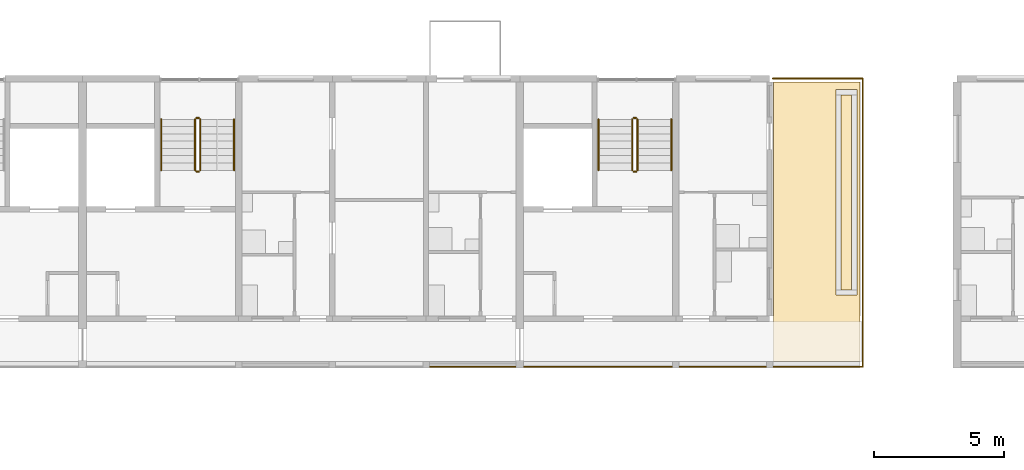
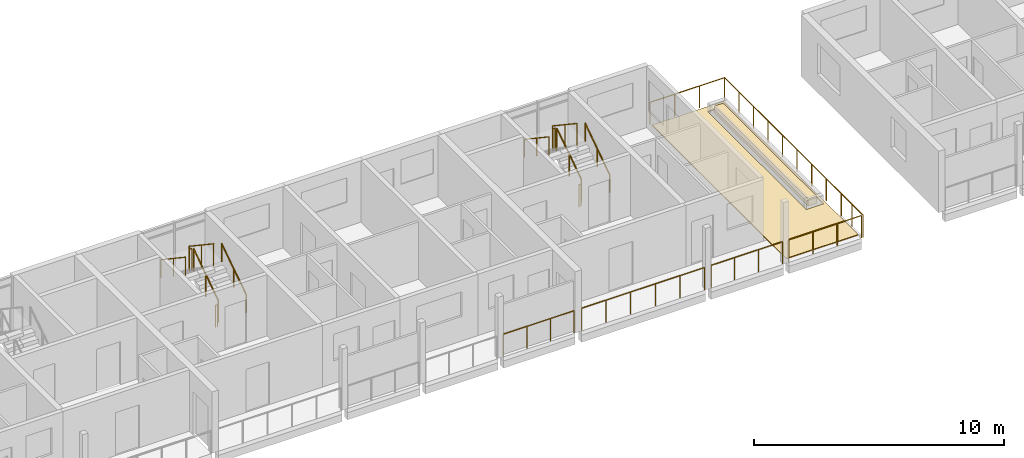
# One storey, part 76 of 94: 18 railings, 3 coverings.
"""IFC4 building model written with IfcOpenShell, lengths in metres."""

from ifc_helpers import new_model, si_unit, direction, frame, origin, origin_2d, place, context, subcontext, project, spatial, polyline, circle, outline, extrude, material, layer, layer_set, type_object, element, save


model = new_model("IFC4")

# Units and contexts
model_context = context("Model", 3, precision=1e-05, world=origin(), true_north=direction((0.0, 1.0)))
body_context = subcontext(model_context, "Body", "Model", "MODEL_VIEW")
ifc_project = project(units=[si_unit("LENGTHUNIT", "METRE"), si_unit("AREAUNIT", "SQUARE_METRE"), si_unit("VOLUMEUNIT", "CUBIC_METRE"), si_unit("PLANEANGLEUNIT", "RADIAN"), si_unit("MASSUNIT", "GRAM", prefix="KILO")], contexts=[model_context])

# Site, building, storey
site_placement = place(None, origin())
site = spatial("IfcSite", under=ifc_project, at=site_placement, CompositionType="ELEMENT")
building_placement = place(site_placement, origin())
building = spatial("IfcBuilding", under=site, at=building_placement, Name="Ridgestep Commons", CompositionType="ELEMENT")
storey_placement = place(building_placement, frame((0.0, 0.0, 21.0)))
storey = spatial("IfcBuildingStorey", under=building, at=storey_placement, Name="L07", CompositionType="ELEMENT", Elevation=21.0)

# Railings
ifc_material_1 = material(Name="Structural steel S355JR", Category="steel")
railing_type_1 = type_object("IfcRailingType", Name="Guard 1100", PredefinedType="GUARDRAIL", material=ifc_material_1)
railing_1_placement = place(storey_placement, frame((58.779052734375, 67.821044921875, 0.0)))
element("IfcRailing", 1, at=railing_1_placement, inside=storey, type_object=railing_type_1, Name="Guard TD-B3R2-GD", PredefinedType="GUARDRAIL", context=body_context, shape_type="SweptSolid", body=[
    extrude(circle(Radius=0.02392578125, at=origin_2d()), frame((0.0, 0.0, 1.076171875), z_axis=(0.0, 1.0, 0.0), x_axis=(-1.0, 0.0, 0.0)), (0.0, 0.0, 1.0), 9.303955078125),
    extrude(circle(Radius=0.02392578125, at=origin_2d()), frame((0.0, 9.303955078125, 1.076171875), z_axis=(-1.0, 0.0, 0.0), x_axis=(0.0, -1.0, 0.0)), (0.0, 0.0, 1.0), 3.4580078125),
    extrude(circle(Radius=0.02099609375, at=origin_2d()), origin(), (0.0, 0.0, 1.0), 1.052001953125),
    extrude(circle(Radius=0.02099609375, at=origin_2d()), frame((0.0, 1.1630859375, 0.0)), (0.0, 0.0, 1.0), 1.052001953125),
    extrude(circle(Radius=0.02099609375, at=origin_2d()), frame((0.0, 2.325927734375, 0.0)), (0.0, 0.0, 1.0), 1.052001953125),
    extrude(circle(Radius=0.02099609375, at=origin_2d()), frame((0.0, 3.489013671875, 0.0)), (0.0, 0.0, 1.0), 1.052001953125),
    extrude(circle(Radius=0.02099609375, at=origin_2d()), frame((0.0, 4.65185546875, 0.0)), (0.0, 0.0, 1.0), 1.052001953125),
    extrude(circle(Radius=0.02099609375, at=origin_2d()), frame((0.0, 5.81494140625, 0.0)), (0.0, 0.0, 1.0), 1.052001953125),
    extrude(circle(Radius=0.02099609375, at=origin_2d()), frame((0.0, 6.97802734375, 0.0)), (0.0, 0.0, 1.0), 1.052001953125),
    extrude(circle(Radius=0.02099609375, at=origin_2d()), frame((0.0, 8.140869140625, 0.0)), (0.0, 0.0, 1.0), 1.052001953125),
    extrude(circle(Radius=0.02099609375, at=origin_2d()), frame((0.0, 9.303955078125, 0.0)), (0.0, 0.0, 1.0), 1.052001953125),
    extrude(circle(Radius=0.02099609375, at=origin_2d()), frame((-1.152587890625, 9.303955078125, 0.0)), (0.0, 0.0, 1.0), 1.052001953125),
    extrude(circle(Radius=0.02099609375, at=origin_2d()), frame((-2.305419921875, 9.303955078125, 0.0)), (0.0, 0.0, 1.0), 1.052001953125),
    extrude(circle(Radius=0.02099609375, at=origin_2d()), frame((-3.4580078125, 9.303955078125, 0.0)), (0.0, 0.0, 1.0), 1.052001953125),
])
railing_2_placement = place(storey_placement, frame((42.14599609375, 66.050048828125, 0.0)))
element("IfcRailing", 2, at=railing_2_placement, inside=storey, type_object=railing_type_1, Name="Gallery guard B 07.7", PredefinedType="GUARDRAIL", context=body_context, shape_type="SweptSolid", body=[
    extrude(circle(Radius=0.02392578125, at=origin_2d()), frame((0.0, 0.0, 1.076171875), z_axis=(1.0, 0.0, 0.0), x_axis=(0.0, 1.0, 0.0)), (0.0, 0.0, 1.0), 3.282958984375),
    extrude(circle(Radius=0.02099609375, at=origin_2d()), origin(), (0.0, 0.0, 1.0), 1.052001953125),
    extrude(circle(Radius=0.02099609375, at=origin_2d()), frame((1.09423828125, 0.0, 0.0)), (0.0, 0.0, 1.0), 1.052001953125),
    extrude(circle(Radius=0.02099609375, at=origin_2d()), frame((2.188720703125, 0.0, 0.0)), (0.0, 0.0, 1.0), 1.052001953125),
    extrude(circle(Radius=0.02099609375, at=origin_2d()), frame((3.282958984375, 0.0, 0.0)), (0.0, 0.0, 1.0), 1.052001953125),
])
railing_3_placement = place(storey_placement, frame((45.77099609375, 66.050048828125, 0.0)))
element("IfcRailing", 3, at=railing_3_placement, inside=storey, type_object=railing_type_1, Name="Gallery guard B 07.8", PredefinedType="GUARDRAIL", context=body_context, shape_type="SweptSolid", body=[
    extrude(circle(Radius=0.02392578125, at=origin_2d()), frame((0.0, 0.0, 1.076171875), z_axis=(1.0, 0.0, 0.0), x_axis=(0.0, 1.0, 0.0)), (0.0, 0.0, 1.0), 5.68310546875),
    extrude(circle(Radius=0.02099609375, at=origin_2d()), origin(), (0.0, 0.0, 1.0), 1.052001953125),
    extrude(circle(Radius=0.02099609375, at=origin_2d()), frame((1.13671875, 0.0, 0.0)), (0.0, 0.0, 1.0), 1.052001953125),
    extrude(circle(Radius=0.02099609375, at=origin_2d()), frame((2.273193359375, 0.0, 0.0)), (0.0, 0.0, 1.0), 1.052001953125),
    extrude(circle(Radius=0.02099609375, at=origin_2d()), frame((3.409912109375, 0.0, 0.0)), (0.0, 0.0, 1.0), 1.052001953125),
    extrude(circle(Radius=0.02099609375, at=origin_2d()), frame((4.54638671875, 0.0, 0.0)), (0.0, 0.0, 1.0), 1.052001953125),
    extrude(circle(Radius=0.02099609375, at=origin_2d()), frame((5.68310546875, 0.0, 0.0)), (0.0, 0.0, 1.0), 1.052001953125),
])
railing_4_placement = place(storey_placement, frame((51.74609375, 66.050048828125, 0.0)))
element("IfcRailing", 4, at=railing_4_placement, inside=storey, type_object=railing_type_1, Name="Gallery guard B 07.9", PredefinedType="GUARDRAIL", context=body_context, shape_type="SweptSolid", body=[
    extrude(circle(Radius=0.02392578125, at=origin_2d()), frame((0.0, 0.0, 1.076171875), z_axis=(1.0, 0.0, 0.0), x_axis=(0.0, 1.0, 0.0)), (0.0, 0.0, 1.0), 3.307861328125),
    extrude(circle(Radius=0.02099609375, at=origin_2d()), origin(), (0.0, 0.0, 1.0), 1.052001953125),
    extrude(circle(Radius=0.02099609375, at=origin_2d()), frame((1.1025390625, 0.0, 0.0)), (0.0, 0.0, 1.0), 1.052001953125),
    extrude(circle(Radius=0.02099609375, at=origin_2d()), frame((2.205322265625, 0.0, 0.0)), (0.0, 0.0, 1.0), 1.052001953125),
    extrude(circle(Radius=0.02099609375, at=origin_2d()), frame((3.307861328125, 0.0, 0.0)), (0.0, 0.0, 1.0), 1.052001953125),
])
railing_5_placement = place(storey_placement, frame((55.345947265625, 66.050048828125, 0.0)))
element("IfcRailing", 5, at=railing_5_placement, inside=storey, type_object=railing_type_1, Name="Gallery guard B 07.10", PredefinedType="GUARDRAIL", context=body_context, shape_type="SweptSolid", body=[
    extrude(circle(Radius=0.02392578125, at=origin_2d()), frame((0.0, 0.0, 1.076171875), z_axis=(1.0, 0.0, 0.0), x_axis=(0.0, 1.0, 0.0)), (0.0, 0.0, 1.0), 3.3701171875),
    extrude(circle(Radius=0.02099609375, at=origin_2d()), origin(), (0.0, 0.0, 1.0), 1.052001953125),
    extrude(circle(Radius=0.02099609375, at=origin_2d()), frame((1.123291015625, 0.0, 0.0)), (0.0, 0.0, 1.0), 1.052001953125),
    extrude(circle(Radius=0.02099609375, at=origin_2d()), frame((2.246826171875, 0.0, 0.0)), (0.0, 0.0, 1.0), 1.052001953125),
    extrude(circle(Radius=0.02099609375, at=origin_2d()), frame((3.3701171875, 0.0, 0.0)), (0.0, 0.0, 1.0), 1.052001953125),
])
railing_6_placement = place(storey_placement, frame((58.779052734375, 66.050048828125, 0.0)))
element("IfcRailing", 6, at=railing_6_placement, inside=storey, type_object=railing_type_1, Name="Gallery end guard B 07.10E", PredefinedType="GUARDRAIL", context=body_context, shape_type="SweptSolid", body=[
    extrude(circle(Radius=0.02392578125, at=origin_2d()), frame((0.0, 0.0, 1.076171875), z_axis=(0.0, 1.0, 0.0), x_axis=(-1.0, 0.0, 0.0)), (0.0, 0.0, 1.0), 1.72900390625),
    extrude(circle(Radius=0.02099609375, at=origin_2d()), origin(), (0.0, 0.0, 1.0), 1.052001953125),
    extrude(circle(Radius=0.02099609375, at=origin_2d()), frame((0.0, 0.864501953125, 0.0)), (0.0, 0.0, 1.0), 1.052001953125),
    extrude(circle(Radius=0.02099609375, at=origin_2d()), frame((0.0, 1.72900390625, 0.0)), (0.0, 0.0, 1.0), 1.052001953125),
])

# Covering
ifc_material_2 = material(Name="Planting soil")
ifc_layer_1 = layer(ifc_material_2, 0.35009765625)
ifc_layer_set_1 = layer_set([ifc_layer_1], Name="Planting soil 350")
covering_type_1 = type_object("IfcCoveringType", Name="Planting soil 350", PredefinedType="FLOORING", material=ifc_layer_set_1)
covering_1_placement = place(storey_placement, frame((0.0, 0.0, 0.010009765625)))
element("IfcCovering", 7, at=covering_1_placement, inside=storey, type_object=covering_type_1, Name="Planting soil B3R2", PredefinedType="FLOORING", context=body_context, shape_type="SweptSolid", body=[
    extrude(outline(polyline([(57.949951171875, 69.0), (58.35009765625, 69.0), (58.35009765625, 76.5), (57.949951171875, 76.5), (57.949951171875, 69.0)])), origin(), (0.0, 0.0, 1.0), 0.35009765625),
])

# Railings
ifc_material_3 = material(Name="Structural steel S355JR", Category="steel")
railing_type_2 = type_object("IfcRailingType", Name="Stair guard 1100", PredefinedType="GUARDRAIL", material=ifc_material_3)
railing_7_placement = place(storey_placement, frame((33.324951171875, 73.60009765625, 0.1875)))
element("IfcRailing", 8, at=railing_7_placement, inside=storey, type_object=railing_type_2, Name="L07 B2C stair guard 1", PredefinedType="GUARDRAIL", context=body_context, shape_type="SweptSolid", body=[
    extrude(circle(Radius=0.02392578125, at=origin_2d()), frame((0.0, 0.0, 1.076171875), z_axis=(0.0, 0.830902050051, 0.556418712142), x_axis=(-1.0, 0.0, 0.0)), (0.0, 0.0, 1.0), 2.35888671875),
    extrude(circle(Radius=0.02099609375, at=origin_2d()), origin(), (0.0, 0.0, 1.0), 1.052001953125),
    extrude(circle(Radius=0.02099609375, at=origin_2d()), frame((0.0, 0.97998046875, 0.65625)), (0.0, 0.0, 1.0), 1.052001953125),
    extrude(circle(Radius=0.02099609375, at=origin_2d()), frame((0.0, 1.9599609375, 1.3125)), (0.0, 0.0, 1.0), 1.052001953125),
])
railing_8_placement = place(storey_placement, frame((33.27490234375, 75.610107421875, 1.5)))
element("IfcRailing", 9, at=railing_8_placement, inside=storey, type_object=railing_type_2, Name="L07 B2C stair guard 2", PredefinedType="GUARDRAIL", context=body_context, shape_type="SweptSolid", body=[
    extrude(circle(Radius=0.02392578125, at=origin_2d()), frame((0.0, 0.0, 1.076171875), z_axis=(-1.0, 0.0, 0.0), x_axis=(0.0, -1.0, 0.0)), (0.0, 0.0, 1.0), 0.099853515625),
    extrude(circle(Radius=0.02099609375, at=origin_2d()), origin(), (0.0, 0.0, 1.0), 1.052001953125),
    extrude(circle(Radius=0.02099609375, at=origin_2d()), frame((-0.099853515625, 0.0, 0.0)), (0.0, 0.0, 1.0), 1.052001953125),
])
railing_9_placement = place(storey_placement, frame((33.125, 75.56005859375, 1.6875)))
element("IfcRailing", 10, at=railing_9_placement, inside=storey, type_object=railing_type_2, Name="L07 B2C stair guard 3", PredefinedType="GUARDRAIL", context=body_context, shape_type="SweptSolid", body=[
    extrude(circle(Radius=0.02392578125, at=origin_2d()), frame((0.0, 0.0, 1.076171875), z_axis=(0.0, -0.830902050051, 0.556418712142), x_axis=(1.0, 0.0, 0.0)), (0.0, 0.0, 1.0), 2.35888671875),
    extrude(circle(Radius=0.02099609375, at=origin_2d()), origin(), (0.0, 0.0, 1.0), 1.052001953125),
    extrude(circle(Radius=0.02099609375, at=origin_2d()), frame((0.0, -0.97998046875, 0.65625)), (0.0, 0.0, 1.0), 1.052001953125),
    extrude(circle(Radius=0.02099609375, at=origin_2d()), frame((0.0, -1.9599609375, 1.3125)), (0.0, 0.0, 1.0), 1.052001953125),
])
railing_10_placement = place(storey_placement, frame((33.27490234375, 73.550048828125, 0.0)))
element("IfcRailing", 11, at=railing_10_placement, inside=storey, type_object=railing_type_2, Name="L07 B2C stair guard 4", PredefinedType="GUARDRAIL", context=body_context, shape_type="SweptSolid", body=[
    extrude(circle(Radius=0.02392578125, at=origin_2d()), frame((0.0, 0.0, 1.076171875), z_axis=(-1.0, 0.0, 0.0), x_axis=(0.0, -1.0, 0.0)), (0.0, 0.0, 1.0), 0.099853515625),
    extrude(circle(Radius=0.02099609375, at=origin_2d()), origin(), (0.0, 0.0, 1.0), 1.052001953125),
    extrude(circle(Radius=0.02099609375, at=origin_2d()), frame((-0.099853515625, 0.0, 0.0)), (0.0, 0.0, 1.0), 1.052001953125),
])
railing_11_placement = place(storey_placement, frame((50.125, 73.60009765625, 0.1875)))
element("IfcRailing", 12, at=railing_11_placement, inside=storey, type_object=railing_type_2, Name="L07 B3C stair guard 1", PredefinedType="GUARDRAIL", context=body_context, shape_type="SweptSolid", body=[
    extrude(circle(Radius=0.02392578125, at=origin_2d()), frame((0.0, 0.0, 1.076171875), z_axis=(0.0, 0.830902050051, 0.556418712142), x_axis=(-1.0, 0.0, 0.0)), (0.0, 0.0, 1.0), 2.35888671875),
    extrude(circle(Radius=0.02099609375, at=origin_2d()), origin(), (0.0, 0.0, 1.0), 1.052001953125),
    extrude(circle(Radius=0.02099609375, at=origin_2d()), frame((0.0, 0.97998046875, 0.65625)), (0.0, 0.0, 1.0), 1.052001953125),
    extrude(circle(Radius=0.02099609375, at=origin_2d()), frame((0.0, 1.9599609375, 1.3125)), (0.0, 0.0, 1.0), 1.052001953125),
])
railing_12_placement = place(storey_placement, frame((50.074951171875, 75.610107421875, 1.5)))
element("IfcRailing", 13, at=railing_12_placement, inside=storey, type_object=railing_type_2, Name="L07 B3C stair guard 2", PredefinedType="GUARDRAIL", context=body_context, shape_type="SweptSolid", body=[
    extrude(circle(Radius=0.02392578125, at=origin_2d()), frame((0.0, 0.0, 1.076171875), z_axis=(-1.0, 0.0, 0.0), x_axis=(0.0, -1.0, 0.0)), (0.0, 0.0, 1.0), 0.099853515625),
    extrude(circle(Radius=0.02099609375, at=origin_2d()), origin(), (0.0, 0.0, 1.0), 1.052001953125),
    extrude(circle(Radius=0.02099609375, at=origin_2d()), frame((-0.099853515625, 0.0, 0.0)), (0.0, 0.0, 1.0), 1.052001953125),
])
railing_13_placement = place(storey_placement, frame((49.925048828125, 75.56005859375, 1.6875)))
element("IfcRailing", 14, at=railing_13_placement, inside=storey, type_object=railing_type_2, Name="L07 B3C stair guard 3", PredefinedType="GUARDRAIL", context=body_context, shape_type="SweptSolid", body=[
    extrude(circle(Radius=0.02392578125, at=origin_2d()), frame((0.0, 0.0, 1.076171875), z_axis=(0.0, -0.830902050051, 0.556418712142), x_axis=(1.0, 0.0, 0.0)), (0.0, 0.0, 1.0), 2.35888671875),
    extrude(circle(Radius=0.02099609375, at=origin_2d()), origin(), (0.0, 0.0, 1.0), 1.052001953125),
    extrude(circle(Radius=0.02099609375, at=origin_2d()), frame((0.0, -0.97998046875, 0.65625)), (0.0, 0.0, 1.0), 1.052001953125),
    extrude(circle(Radius=0.02099609375, at=origin_2d()), frame((0.0, -1.9599609375, 1.3125)), (0.0, 0.0, 1.0), 1.052001953125),
])
railing_14_placement = place(storey_placement, frame((50.074951171875, 73.550048828125, 0.0)))
element("IfcRailing", 15, at=railing_14_placement, inside=storey, type_object=railing_type_2, Name="L07 B3C stair guard 4", PredefinedType="GUARDRAIL", context=body_context, shape_type="SweptSolid", body=[
    extrude(circle(Radius=0.02392578125, at=origin_2d()), frame((0.0, 0.0, 1.076171875), z_axis=(-1.0, 0.0, 0.0), x_axis=(0.0, -1.0, 0.0)), (0.0, 0.0, 1.0), 0.099853515625),
    extrude(circle(Radius=0.02099609375, at=origin_2d()), origin(), (0.0, 0.0, 1.0), 1.052001953125),
    extrude(circle(Radius=0.02099609375, at=origin_2d()), frame((-0.099853515625, 0.0, 0.0)), (0.0, 0.0, 1.0), 1.052001953125),
])
ifc_material_4 = material(Name="Structural steel S355JR", Category="steel")
railing_type_3 = type_object("IfcRailingType", Name="Stair handrail 900", PredefinedType="HANDRAIL", material=ifc_material_4)
railing_15_placement = place(storey_placement, frame((34.625, 73.60009765625, 0.1875)))
element("IfcRailing", 16, at=railing_15_placement, inside=storey, type_object=railing_type_3, Name="L07 B2C stair handrail 1", PredefinedType="HANDRAIL", context=body_context, shape_type="SweptSolid", body=[
    extrude(circle(Radius=0.02392578125, at=origin_2d()), frame((0.0, 0.0, 0.8759765625), z_axis=(0.0, 0.830902050051, 0.556418712142), x_axis=(-1.0, 0.0, 0.0)), (0.0, 0.0, 1.0), 2.35888671875),
    extrude(circle(Radius=0.02099609375, at=origin_2d()), origin(), (0.0, 0.0, 1.0), 0.851806640625),
    extrude(circle(Radius=0.02099609375, at=origin_2d()), frame((0.0, 0.97998046875, 0.65625)), (0.0, 0.0, 1.0), 0.851806640625),
    extrude(circle(Radius=0.02099609375, at=origin_2d()), frame((0.0, 1.9599609375, 1.3125)), (0.0, 0.0, 1.0), 0.851806640625),
])
railing_16_placement = place(storey_placement, frame((31.824951171875, 75.56005859375, 1.6875)))
element("IfcRailing", 17, at=railing_16_placement, inside=storey, type_object=railing_type_3, Name="L07 B2C stair handrail 2", PredefinedType="HANDRAIL", context=body_context, shape_type="SweptSolid", body=[
    extrude(circle(Radius=0.02392578125, at=origin_2d()), frame((0.0, 0.0, 0.8759765625), z_axis=(0.0, -0.830902050051, 0.556418712142), x_axis=(1.0, 0.0, 0.0)), (0.0, 0.0, 1.0), 2.35888671875),
    extrude(circle(Radius=0.02099609375, at=origin_2d()), origin(), (0.0, 0.0, 1.0), 0.851806640625),
    extrude(circle(Radius=0.02099609375, at=origin_2d()), frame((0.0, -0.97998046875, 0.65625)), (0.0, 0.0, 1.0), 0.851806640625),
    extrude(circle(Radius=0.02099609375, at=origin_2d()), frame((0.0, -1.9599609375, 1.3125)), (0.0, 0.0, 1.0), 0.851806640625),
])
railing_17_placement = place(storey_placement, frame((51.425048828125, 73.60009765625, 0.1875)))
element("IfcRailing", 18, at=railing_17_placement, inside=storey, type_object=railing_type_3, Name="L07 B3C stair handrail 1", PredefinedType="HANDRAIL", context=body_context, shape_type="SweptSolid", body=[
    extrude(circle(Radius=0.02392578125, at=origin_2d()), frame((0.0, 0.0, 0.8759765625), z_axis=(0.0, 0.830902050051, 0.556418712142), x_axis=(-1.0, 0.0, 0.0)), (0.0, 0.0, 1.0), 2.35888671875),
    extrude(circle(Radius=0.02099609375, at=origin_2d()), origin(), (0.0, 0.0, 1.0), 0.851806640625),
    extrude(circle(Radius=0.02099609375, at=origin_2d()), frame((0.0, 0.97998046875, 0.65625)), (0.0, 0.0, 1.0), 0.851806640625),
    extrude(circle(Radius=0.02099609375, at=origin_2d()), frame((0.0, 1.9599609375, 1.3125)), (0.0, 0.0, 1.0), 0.851806640625),
])
railing_18_placement = place(storey_placement, frame((48.625, 75.56005859375, 1.6875)))
element("IfcRailing", 19, at=railing_18_placement, inside=storey, type_object=railing_type_3, Name="L07 B3C stair handrail 2", PredefinedType="HANDRAIL", context=body_context, shape_type="SweptSolid", body=[
    extrude(circle(Radius=0.02392578125, at=origin_2d()), frame((0.0, 0.0, 0.8759765625), z_axis=(0.0, -0.830902050051, 0.556418712142), x_axis=(1.0, 0.0, 0.0)), (0.0, 0.0, 1.0), 2.35888671875),
    extrude(circle(Radius=0.02099609375, at=origin_2d()), origin(), (0.0, 0.0, 1.0), 0.851806640625),
    extrude(circle(Radius=0.02099609375, at=origin_2d()), frame((0.0, -0.97998046875, 0.65625)), (0.0, 0.0, 1.0), 0.851806640625),
    extrude(circle(Radius=0.02099609375, at=origin_2d()), frame((0.0, -1.9599609375, 1.3125)), (0.0, 0.0, 1.0), 0.851806640625),
])

# Coverings
ifc_material_5 = material(Name="Bitumen membrane, two layer")
ifc_layer_2 = layer(ifc_material_5, 0.010009765625)
ifc_layer_set_2 = layer_set([ifc_layer_2], Name="Terrace membrane 10")
covering_type_2 = type_object("IfcCoveringType", Name="Terrace membrane 10", PredefinedType="ROOFING", material=ifc_layer_set_2)
covering_2_placement = place(storey_placement, origin())
element("IfcCovering", 20, at=covering_2_placement, inside=storey, type_object=covering_type_2, Name="Terrace membrane B3R2", PredefinedType="ROOFING", context=body_context, shape_type="SweptSolid", body=[
    extrude(outline(polyline([(58.675048828125, 66.25), (58.675048828125, 77.0), (55.35009765625, 77.0), (55.35009765625, 66.25), (58.675048828125, 66.25)]), holes=[polyline([(58.550048828125, 68.800048828125), (58.550048828125, 76.699951171875), (57.75, 76.699951171875), (57.75, 68.800048828125), (58.550048828125, 68.800048828125)])]), origin(), (0.0, 0.0, 1.0), 0.010009765625),
])
ifc_material_6 = material(Name="Concrete paving slab", Category="concrete")
ifc_layer_3 = layer(ifc_material_6, 0.030029296875)
ifc_layer_set_3 = layer_set([ifc_layer_3], Name="Terrace paving 30")
covering_type_3 = type_object("IfcCoveringType", Name="Terrace paving 30", PredefinedType="FLOORING", material=ifc_layer_set_3)
covering_3_placement = place(storey_placement, frame((0.0, 0.0, 0.010009765625)))
element("IfcCovering", 21, at=covering_3_placement, inside=storey, type_object=covering_type_3, Name="Terrace paving B3R2", PredefinedType="FLOORING", context=body_context, shape_type="SweptSolid", body=[
    extrude(outline(polyline([(58.675048828125, 66.25), (58.675048828125, 77.0), (55.35009765625, 77.0), (55.35009765625, 66.25), (58.675048828125, 66.25)]), holes=[polyline([(58.550048828125, 68.800048828125), (58.550048828125, 76.699951171875), (57.75, 76.699951171875), (57.75, 68.800048828125), (58.550048828125, 68.800048828125)])]), origin(), (0.0, 0.0, 1.0), 0.030029296875),
])

save(model, "model.ifc")
